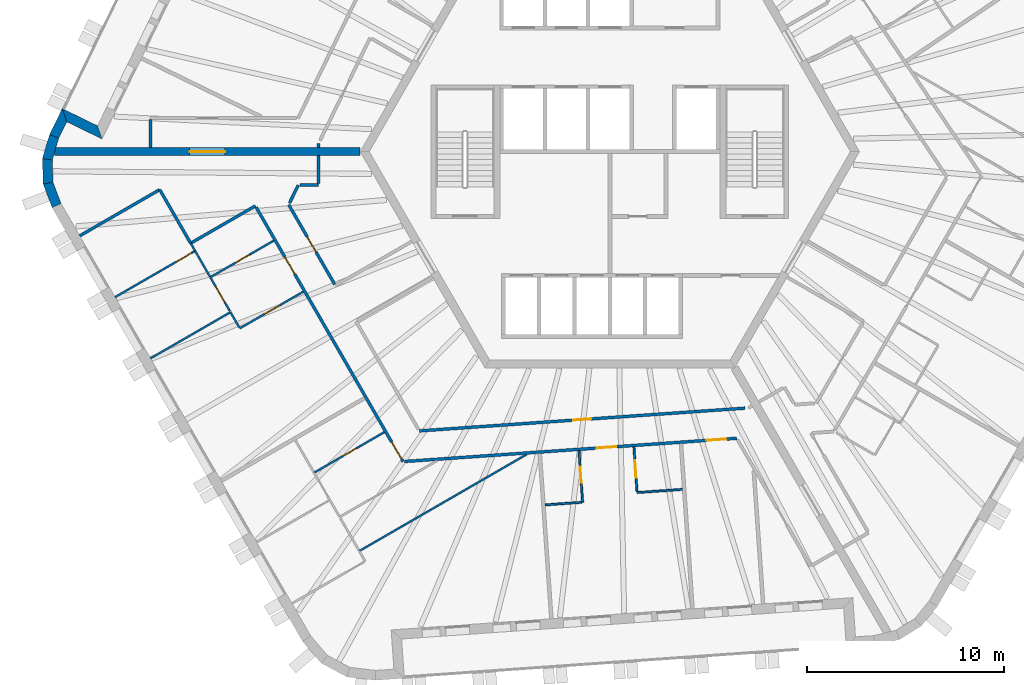
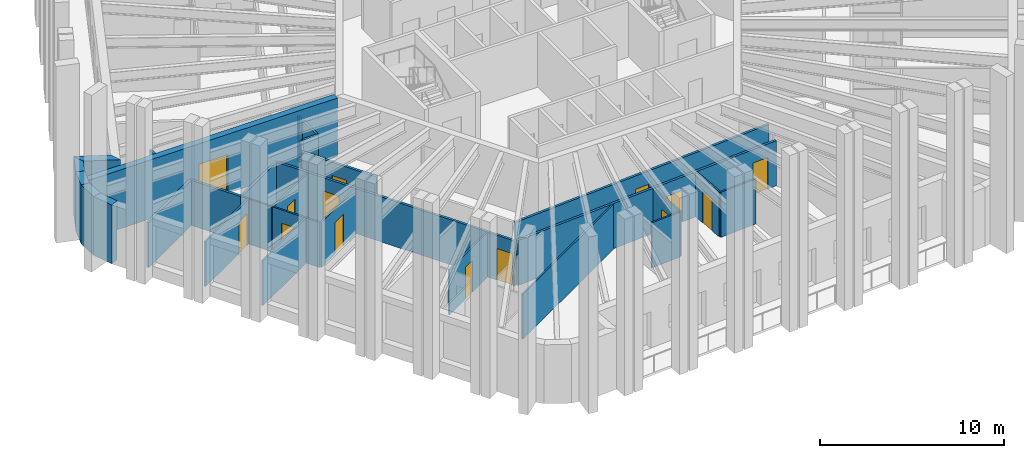
# One storey, part 4 of 13: 32 walls, 14 doors, 14 openings.
"""IFC4 building model written with IfcOpenShell, lengths in metres."""

from ifc_helpers import new_model, si_unit, direction, frame, frame_2d, origin, place, context, subcontext, project, spatial, polyline, rectangle, outline, extrude, material, layer, layer_set, type_object, element, fill, save


model = new_model("IFC4")

# Units and contexts
model_context = context("Model", 3, precision=1e-05, world=origin(), true_north=direction((0.0, 1.0)))
body_context = subcontext(model_context, "Body", "Model", "MODEL_VIEW")
ifc_project = project(units=[si_unit("LENGTHUNIT", "METRE"), si_unit("AREAUNIT", "SQUARE_METRE"), si_unit("VOLUMEUNIT", "CUBIC_METRE"), si_unit("PLANEANGLEUNIT", "RADIAN"), si_unit("MASSUNIT", "GRAM", prefix="KILO")], contexts=[model_context])

# Site, building, storey
site_placement = place(None, origin())
site = spatial("IfcSite", under=ifc_project, at=site_placement, CompositionType="ELEMENT")
building_placement = place(site_placement, origin())
building = spatial("IfcBuilding", under=site, at=building_placement, Name="Tarnside Tower", CompositionType="ELEMENT")
storey_placement = place(building_placement, frame((0.0, 0.0, 267.89990234375)))
storey = spatial("IfcBuildingStorey", under=building, at=storey_placement, Name="L64", CompositionType="ELEMENT", Elevation=267.89990234375)

# Wall, opening, door
ifc_material_1 = material(Name="Gypsum board partition on steel studs", Category="steel")
ifc_layer_1 = layer(ifc_material_1, 0.10009765625)
ifc_layer_set_1 = layer_set([ifc_layer_1], Name="Bathroom wall 100")
wall_type_1 = type_object("IfcWallType", Name="Bathroom wall 100", PredefinedType="PARTITIONING", material=ifc_layer_set_1)
wall_1_placement = place(storey_placement, frame((-17.1005859375, -4.53076171875, 0.0), z_axis=(0.0, 0.0, 1.0), x_axis=(-0.866028424924, -0.499994767197, 0.0)))
wall_1 = element("IfcWall", 1, at=wall_1_placement, inside=storey, type_object=wall_type_1, Name="Bathroom wall 21120", PredefinedType="PARTITIONING", context=body_context, shape_type="SweptSolid", body=[
    extrude(rectangle(XDim=3.72509765625, YDim=0.10009765625, at=frame_2d((1.862548828125, 0.0))), origin(), (0.0, 0.0, 1.0), 2.98779296875),
])
opening_1_placement = place(wall_1_placement, frame((1.425048828125, 0.0, 0.0)))
opening_1 = element("IfcOpeningElement", 2, at=opening_1_placement, cuts=wall_1, Name="Opening D-B1", PredefinedType="OPENING", context=body_context, shape_type="SweptSolid", body=[
    extrude(rectangle(XDim=0.800048828125, YDim=2.10009765625, at=frame_2d((0.39990234375, 1.050048828125))), frame((0.0, 0.06005859375, 0.0), z_axis=(0.0, -1.0, 0.0), x_axis=(1.0, 0.0, 0.0)), (0.0, 0.0, 1.0), 0.1201171875),
])
ifc_material_2 = material(Name="Timber door leaf", Category="wood")
door_type_1 = type_object("IfcDoorType", Name="Bathroom door 800", OperationType="NOTDEFINED", PredefinedType="DOOR", material=ifc_material_2)
door_1_placement = place(opening_1_placement, origin())
door_1 = element("IfcDoor", 3, at=door_1_placement, inside=storey, type_object=door_type_1, Name="Bathroom door 21027", OperationType="SINGLE_SWING_RIGHT", OverallHeight=2.10009765625, OverallWidth=0.800048828125, PredefinedType="DOOR", context=body_context, shape_type="SweptSolid", body=[
    extrude(rectangle(XDim=0.800048828125, YDim=2.10009765625, at=frame_2d((0.39990234375, 1.050048828125))), frame((0.0, 0.02490234375, 0.0), z_axis=(0.0, -1.0, 0.0), x_axis=(1.0, 0.0, 0.0)), (0.0, 0.0, 1.0), 0.050048828125),
])
fill(opening_1, door_1)

# Walls
wall_2_placement = place(storey_placement, frame((-21.32763671875, -4.659423828125, 0.0), z_axis=(0.0, 0.0, 1.0), x_axis=(0.500250683452, -0.865880623242, 0.0)))
element("IfcWall", 4, at=wall_2_placement, inside=storey, type_object=wall_type_1, Name="Bathroom wall 21122", PredefinedType="PARTITIONING", context=body_context, shape_type="SweptSolid", body=[
    extrude(rectangle(XDim=0.453369140625, YDim=0.10009765625, at=frame_2d((0.2265625, 0.0))), origin(), (0.0, 0.0, 1.0), 2.98779296875),
])
wall_3_placement = place(storey_placement, frame((-21.100830078125, -5.052001953125, 0.0), z_axis=(0.0, 0.0, 1.0), x_axis=(0.49997126526, -0.866041993159, 0.0)))
element("IfcWall", 5, at=wall_3_placement, inside=storey, type_object=wall_type_1, Name="Bathroom wall 21123", PredefinedType="PARTITIONING", context=body_context, shape_type="SweptSolid", body=[
    extrude(rectangle(XDim=1.50048828125, YDim=0.10009765625, at=frame_2d((0.750244140625, 0.0))), origin(), (0.0, 0.0, 1.0), 2.98779296875),
])
wall_4_placement = place(storey_placement, frame((-4.238037109375, -15.408203125, 0.0), z_axis=(0.0, 0.0, 1.0), x_axis=(-0.86602504101, -0.500000628343, 0.0)))
element("IfcWall", 6, at=wall_4_placement, inside=storey, type_object=wall_type_1, Name="Bathroom wall 21127", PredefinedType="PARTITIONING", context=body_context, shape_type="SweptSolid", body=[
    extrude(rectangle(XDim=9.82568359375, YDim=0.10009765625, at=frame_2d((4.912841796875, 0.0))), origin(), (0.0, 0.0, 1.0), 2.98779296875),
])

# Wall, opening, door
wall_5_placement = place(storey_placement, frame((-11.47509765625, -14.274658203125, 0.0), z_axis=(0.0, 0.0, 1.0), x_axis=(-0.866019999656, -0.500009360108, 0.0)))
wall_5 = element("IfcWall", 7, at=wall_5_placement, inside=storey, type_object=wall_type_1, Name="Bathroom wall 21130", PredefinedType="PARTITIONING", context=body_context, shape_type="SweptSolid", body=[
    extrude(rectangle(XDim=4.125, YDim=0.10009765625, at=frame_2d((2.0625, 0.0))), origin(), (0.0, 0.0, 1.0), 2.98779296875),
])
opening_2_placement = place(wall_5_placement, frame((1.625, 0.0, 0.0)))
opening_2 = element("IfcOpeningElement", 8, at=opening_2_placement, cuts=wall_5, Name="Opening D-B1", PredefinedType="OPENING", context=body_context, shape_type="SweptSolid", body=[
    extrude(rectangle(XDim=0.800048828125, YDim=2.10009765625, at=frame_2d((0.39990234375, 1.050048828125))), frame((0.0, 0.06005859375, 0.0), z_axis=(0.0, -1.0, 0.0), x_axis=(1.0, 0.0, 0.0)), (0.0, 0.0, 1.0), 0.1201171875),
])
door_2_placement = place(opening_2_placement, origin())
door_2 = element("IfcDoor", 9, at=door_2_placement, inside=storey, type_object=door_type_1, Name="Bathroom door 21034", OperationType="SINGLE_SWING_RIGHT", OverallHeight=2.10009765625, OverallWidth=0.800048828125, PredefinedType="DOOR", context=body_context, shape_type="SweptSolid", body=[
    extrude(rectangle(XDim=0.800048828125, YDim=2.10009765625, at=frame_2d((0.39990234375, 1.050048828125))), frame((0.0, 0.02490234375, 0.0), z_axis=(0.0, -1.0, 0.0), x_axis=(1.0, 0.0, 0.0)), (0.0, 0.0, 1.0), 0.050048828125),
])
fill(opening_2, door_2)

wall_6_placement = place(storey_placement, frame((-1.566650390625, -15.221435546875, 0.0), z_axis=(0.0, 0.0, 1.0), x_axis=(0.069753235829, -0.997564276672, 0.0)))
wall_6 = element("IfcWall", 10, at=wall_6_placement, inside=storey, type_object=wall_type_1, Name="Bathroom wall 21137", PredefinedType="PARTITIONING", context=body_context, shape_type="SweptSolid", body=[
    extrude(rectangle(XDim=2.625, YDim=0.10009765625, at=frame_2d((1.3125, 0.0))), origin(), (0.0, 0.0, 1.0), 2.98779296875),
])
opening_3_placement = place(wall_6_placement, frame((0.824951171875, 0.0, 0.0)))
opening_3 = element("IfcOpeningElement", 11, at=opening_3_placement, cuts=wall_6, Name="Opening D-B1", PredefinedType="OPENING", context=body_context, shape_type="SweptSolid", body=[
    extrude(rectangle(XDim=0.800048828125, YDim=2.10009765625, at=frame_2d((0.39990234375, 1.050048828125))), frame((0.0, 0.06005859375, 0.0), z_axis=(0.0, -1.0, 0.0), x_axis=(1.0, 0.0, 0.0)), (0.0, 0.0, 1.0), 0.1201171875),
])
door_3_placement = place(opening_3_placement, origin())
door_3 = element("IfcDoor", 12, at=door_3_placement, inside=storey, type_object=door_type_1, Name="Bathroom door 21043", OperationType="SINGLE_SWING_RIGHT", OverallHeight=2.10009765625, OverallWidth=0.800048828125, PredefinedType="DOOR", context=body_context, shape_type="SweptSolid", body=[
    extrude(rectangle(XDim=0.800048828125, YDim=2.10009765625, at=frame_2d((0.39990234375, 1.050048828125))), frame((0.0, 0.02490234375, 0.0), z_axis=(0.0, -1.0, 0.0), x_axis=(1.0, 0.0, 0.0)), (0.0, 0.0, 1.0), 0.050048828125),
])
fill(opening_3, door_3)

# Wall
wall_7_placement = place(storey_placement, frame((-1.43359375, -17.843505859375, 0.0), z_axis=(0.0, 0.0, 1.0), x_axis=(-0.997568101915, -0.069698508173, 0.0)))
element("IfcWall", 13, at=wall_7_placement, inside=storey, type_object=wall_type_1, Name="Bathroom wall 21138", PredefinedType="PARTITIONING", context=body_context, shape_type="SweptSolid", body=[
    extrude(rectangle(XDim=1.860107421875, YDim=0.10009765625, at=frame_2d((0.93017578125, 0.0))), origin(), (0.0, 0.0, 1.0), 2.98779296875),
])

# Wall, opening, door
ifc_material_3 = material(Name="Concrete C60/75", Category="concrete")
ifc_layer_2 = layer(ifc_material_3, 0.39990234375)
ifc_layer_set_2 = layer_set([ifc_layer_2], Name="Core wall Z3 400 C60/75")
wall_type_2 = type_object("IfcWallType", Name="Core wall Z3 400 C60/75", PredefinedType="SHEAR", material=ifc_layer_set_2)
wall_8_placement = place(storey_placement, frame((-12.70166015625, 0.0, -0.14990234375), z_axis=(0.0, 0.0, 1.0), x_axis=(-1.0, 0.0, 0.0)))
wall_8 = element("IfcWall", 14, at=wall_8_placement, inside=storey, type_object=wall_type_2, Name="L64 spine wall 2", PredefinedType="SHEAR", context=body_context, shape_type="SweptSolid", body=[
    extrude(rectangle(XDim=15.54443359375, YDim=0.39990234375, at=frame_2d((7.772216796875, 0.0))), origin(), (0.0, 0.0, 1.0), 3.89990234375),
])
opening_4_placement = place(wall_8_placement, frame((6.872314453125, 0.0, 0.14990234375)))
opening_4 = element("IfcOpeningElement", 15, at=opening_4_placement, cuts=wall_8, Name="Opening CD-SPN", PredefinedType="OPENING", context=body_context, shape_type="SweptSolid", body=[
    extrude(rectangle(XDim=1.800048828125, YDim=2.39990234375, at=frame_2d((0.89990234375, 1.199951171875))), frame((0.0, 0.2099609375, 0.0), z_axis=(0.0, -1.0, 0.0), x_axis=(1.0, 0.0, 0.0)), (0.0, 0.0, 1.0), 0.419921875),
])
ifc_material_4 = material(Name="Steel fire door", Category="steel")
door_type_2 = type_object("IfcDoorType", Name="Spine passage double door FD60 1800x2400", OperationType="NOTDEFINED", PredefinedType="DOOR", material=ifc_material_4)
door_4_placement = place(opening_4_placement, origin())
door_4 = element("IfcDoor", 16, at=door_4_placement, inside=storey, type_object=door_type_2, Name="L64 spine passage door 2", OperationType="DOUBLE_DOOR_SINGLE_SWING", OverallHeight=2.39990234375, OverallWidth=1.800048828125, PredefinedType="DOOR", context=body_context, shape_type="SweptSolid", body=[
    extrude(rectangle(XDim=1.800048828125, YDim=2.39990234375, at=frame_2d((0.89990234375, 1.199951171875))), frame((0.0, 0.02490234375, 0.0), z_axis=(0.0, -1.0, 0.0), x_axis=(1.0, 0.0, 0.0)), (0.0, 0.0, 1.0), 0.050048828125),
])
fill(opening_4, door_4)

# Walls
ifc_layer_3 = layer(ifc_material_1, 0.14990234375)
ifc_layer_set_3 = layer_set([ifc_layer_3], Name="Corridor wall 150 EI 60")
wall_type_3 = type_object("IfcWallType", Name="Corridor wall 150 EI 60", PredefinedType="PARTITIONING", material=ifc_layer_set_3)
wall_9_placement = place(storey_placement, frame((-23.3740234375, 1.625, 0.0), z_axis=(0.0, 0.0, 1.0), x_axis=(0.0, -1.0, 0.0)))
element("IfcWall", 17, at=wall_9_placement, inside=storey, type_object=wall_type_3, Name="Corridor wall 21019", PredefinedType="PARTITIONING", context=body_context, shape_type="SweptSolid", body=[
    extrude(rectangle(XDim=1.425048828125, YDim=0.14990234375, at=frame_2d((0.71240234375, 0.0))), origin(), (0.0, 0.0, 1.0), 2.98779296875),
])
wall_10_placement = place(storey_placement, frame((-14.820068359375, 0.199951171875, 0.0), z_axis=(0.0, 0.0, 1.0), x_axis=(0.0, 1.0, 0.0)))
element("IfcWall", 18, at=wall_10_placement, inside=storey, type_object=wall_type_3, Name="Corridor wall 21026", PredefinedType="PARTITIONING", context=body_context, shape_type="SweptSolid", body=[
    extrude(rectangle(XDim=0.210205078125, YDim=0.14990234375, at=frame_2d((0.10498046875, 0.0))), origin(), (0.0, 0.0, 1.0), 2.98779296875),
])

# Wall, openings, doors
wall_11_placement = place(storey_placement, frame((-17.998291015625, -2.826171875, 0.0), z_axis=(0.0, 0.0, 1.0), x_axis=(0.500003306199, -0.866023494941, 0.0)))
wall_11 = element("IfcWall", 19, at=wall_11_placement, inside=storey, type_object=wall_type_3, Name="Corridor wall 21029", PredefinedType="PARTITIONING", context=body_context, shape_type="SweptSolid", body=[
    extrude(rectangle(XDim=14.94921875, YDim=0.14990234375, at=frame_2d((7.474609375, 0.0))), origin(), (0.0, 0.0, 1.0), 2.98779296875),
])
opening_5_placement = place(wall_11_placement, frame((2.925048828125, 0.0, 0.0)))
opening_5 = element("IfcOpeningElement", 20, at=opening_5_placement, cuts=wall_11, Name="Opening D-E1", PredefinedType="OPENING", context=body_context, shape_type="SweptSolid", body=[
    extrude(rectangle(XDim=1.0, YDim=2.10009765625, at=frame_2d((0.5, 1.050048828125))), frame((0.0, 0.0849609375, 0.0), z_axis=(0.0, -1.0, 0.0), x_axis=(1.0, 0.0, 0.0)), (0.0, 0.0, 1.0), 0.169921875),
])
opening_6_placement = place(wall_11_placement, frame((13.79931640625, 0.0, 0.0)))
opening_6 = element("IfcOpeningElement", 21, at=opening_6_placement, cuts=wall_11, Name="Opening D-E1", PredefinedType="OPENING", context=body_context, shape_type="SweptSolid", body=[
    extrude(rectangle(XDim=1.0, YDim=2.10009765625, at=frame_2d((0.5, 1.050048828125))), frame((0.0, 0.0849609375, 0.0), z_axis=(0.0, -1.0, 0.0), x_axis=(1.0, 0.0, 0.0)), (0.0, 0.0, 1.0), 0.169921875),
])
door_type_3 = type_object("IfcDoorType", Name="Unit entrance door 1000 FD30S", OperationType="NOTDEFINED", PredefinedType="DOOR", material=ifc_material_2)
door_5_placement = place(opening_5_placement, origin())
door_5 = element("IfcDoor", 22, at=door_5_placement, inside=storey, type_object=door_type_3, Name="Unit door 21026", OperationType="SINGLE_SWING_RIGHT", OverallHeight=2.10009765625, OverallWidth=1.0, PredefinedType="DOOR", context=body_context, shape_type="SweptSolid", body=[
    extrude(rectangle(XDim=1.0, YDim=2.10009765625, at=frame_2d((0.5, 1.050048828125))), frame((0.0, 0.02490234375, 0.0), z_axis=(0.0, -1.0, 0.0), x_axis=(1.0, 0.0, 0.0)), (0.0, 0.0, 1.0), 0.050048828125),
])
fill(opening_5, door_5)
door_6_placement = place(opening_6_placement, origin())
door_6 = element("IfcDoor", 23, at=door_6_placement, inside=storey, type_object=door_type_3, Name="Unit door 21033", OperationType="SINGLE_SWING_LEFT", OverallHeight=2.10009765625, OverallWidth=1.0, PredefinedType="DOOR", context=body_context, shape_type="SweptSolid", body=[
    extrude(rectangle(XDim=1.0, YDim=2.10009765625, at=frame_2d((0.5, 1.050048828125))), frame((0.0, 0.02490234375, 0.0), z_axis=(0.0, -1.0, 0.0), x_axis=(1.0, 0.0, 0.0)), (0.0, 0.0, 1.0), 0.050048828125),
])
fill(opening_6, door_6)

# Walls
wall_12_placement = place(storey_placement, frame((-21.32666015625, -4.6611328125, 0.0), z_axis=(0.0, 0.0, 1.0), x_axis=(0.866044365799, 0.499967155389, 0.0)))
element("IfcWall", 24, at=wall_12_placement, inside=storey, type_object=wall_type_3, Name="Corridor wall 21031", PredefinedType="PARTITIONING", context=body_context, shape_type="SweptSolid", body=[
    extrude(rectangle(XDim=3.800048828125, YDim=0.14990234375, at=frame_2d((1.89990234375, 0.0))), origin(), (0.0, 0.0, 1.0), 2.98779296875),
])
wall_13_placement = place(storey_placement, frame((-26.97119140625, -4.284423828125, 0.0), z_axis=(0.0, 0.0, 1.0), x_axis=(0.866018584967, 0.500011810352, 0.0)))
element("IfcWall", 25, at=wall_13_placement, inside=storey, type_object=wall_type_3, Name="Corridor wall 21033", PredefinedType="PARTITIONING", context=body_context, shape_type="SweptSolid", body=[
    extrude(rectangle(XDim=4.69873046875, YDim=0.14990234375, at=frame_2d((2.349365234375, 0.0))), origin(), (0.0, 0.0, 1.0), 2.98779296875),
])
wall_14_placement = place(storey_placement, frame((-22.900390625, -1.935546875, 0.0), z_axis=(0.0, 0.0, 1.0), x_axis=(0.50003099832, -0.866007506156, 0.0)))
element("IfcWall", 26, at=wall_14_placement, inside=storey, type_object=wall_type_3, Name="Corridor wall 21034", PredefinedType="PARTITIONING", context=body_context, shape_type="SweptSolid", body=[
    extrude(rectangle(XDim=3.150634765625, YDim=0.14990234375, at=frame_2d((1.5751953125, 0.0))), origin(), (0.0, 0.0, 1.0), 2.98779296875),
])

# Wall, openings, doors
wall_15_placement = place(storey_placement, frame((-10.4404296875, -15.7666015625, 0.0), z_axis=(0.0, 0.0, 1.0), x_axis=(0.997565037323, 0.069742356651, 0.0)))
wall_15 = element("IfcWall", 27, at=wall_15_placement, inside=storey, type_object=wall_type_3, Name="Corridor wall 21035", PredefinedType="PARTITIONING", context=body_context, shape_type="SweptSolid", body=[
    extrude(rectangle(XDim=16.939453125, YDim=0.14990234375, at=frame_2d((8.4697265625, 0.0))), origin(), (0.0, 0.0, 1.0), 2.98779296875),
])
opening_7_placement = place(wall_15_placement, frame((9.7900390625, 0.0, 0.0)))
opening_7 = element("IfcOpeningElement", 28, at=opening_7_placement, cuts=wall_15, Name="Opening D-E1", PredefinedType="OPENING", context=body_context, shape_type="SweptSolid", body=[
    extrude(rectangle(XDim=1.0, YDim=2.10009765625, at=frame_2d((0.5, 1.050048828125))), frame((0.0, 0.0849609375, 0.0), z_axis=(0.0, -1.0, 0.0), x_axis=(1.0, 0.0, 0.0)), (0.0, 0.0, 1.0), 0.169921875),
])
opening_8_placement = place(wall_15_placement, frame((15.39013671875, 0.0, 0.0)))
opening_8 = element("IfcOpeningElement", 29, at=opening_8_placement, cuts=wall_15, Name="Opening D-E1", PredefinedType="OPENING", context=body_context, shape_type="SweptSolid", body=[
    extrude(rectangle(XDim=1.0, YDim=2.10009765625, at=frame_2d((0.5, 1.050048828125))), frame((0.0, 0.0849609375, 0.0), z_axis=(0.0, -1.0, 0.0), x_axis=(1.0, 0.0, 0.0)), (0.0, 0.0, 1.0), 0.169921875),
])
door_7_placement = place(opening_7_placement, origin())
door_7 = element("IfcDoor", 30, at=door_7_placement, inside=storey, type_object=door_type_3, Name="Unit door 21042", OperationType="SINGLE_SWING_RIGHT", OverallHeight=2.10009765625, OverallWidth=1.0, PredefinedType="DOOR", context=body_context, shape_type="SweptSolid", body=[
    extrude(rectangle(XDim=1.0, YDim=2.10009765625, at=frame_2d((0.5, 1.050048828125))), frame((0.0, 0.02490234375, 0.0), z_axis=(0.0, -1.0, 0.0), x_axis=(1.0, 0.0, 0.0)), (0.0, 0.0, 1.0), 0.050048828125),
])
fill(opening_7, door_7)
door_8_placement = place(opening_8_placement, origin())
door_8 = element("IfcDoor", 31, at=door_8_placement, inside=storey, type_object=door_type_3, Name="Unit door 21045", OperationType="SINGLE_SWING_LEFT", OverallHeight=2.10009765625, OverallWidth=1.0, PredefinedType="DOOR", context=body_context, shape_type="SweptSolid", body=[
    extrude(rectangle(XDim=1.0, YDim=2.10009765625, at=frame_2d((0.5, 1.050048828125))), frame((0.0, 0.02490234375, 0.0), z_axis=(0.0, -1.0, 0.0), x_axis=(1.0, 0.0, 0.0)), (0.0, 0.0, 1.0), 0.050048828125),
])
fill(opening_8, door_8)

# Wall, opening, door
wall_16_placement = place(storey_placement, frame((-14.000244140625, -6.750732421875, 0.0), z_axis=(0.0, 0.0, 1.0), x_axis=(-0.500008739126, 0.866020358189, 0.0)))
wall_16 = element("IfcWall", 32, at=wall_16_placement, inside=storey, type_object=wall_type_3, Name="Corridor wall 21048", PredefinedType="PARTITIONING", context=body_context, shape_type="SweptSolid", body=[
    extrude(rectangle(XDim=4.67529296875, YDim=0.14990234375, at=frame_2d((2.337646484375, 0.0))), origin(), (0.0, 0.0, 1.0), 2.98779296875),
])
opening_9_placement = place(wall_16_placement, frame((1.8876953125, 0.0, 0.0)))
opening_9 = element("IfcOpeningElement", 33, at=opening_9_placement, cuts=wall_16, Name="Opening D-S1", PredefinedType="OPENING", context=body_context, shape_type="SweptSolid", body=[
    extrude(rectangle(XDim=0.89990234375, YDim=2.10009765625, at=frame_2d((0.449951171875, 1.050048828125))), frame((0.0, 0.0849609375, 0.0), z_axis=(0.0, -1.0, 0.0), x_axis=(1.0, 0.0, 0.0)), (0.0, 0.0, 1.0), 0.169921875),
])
door_type_4 = type_object("IfcDoorType", Name="Service room door 900 FD30S", OperationType="NOTDEFINED", PredefinedType="DOOR", material=ifc_material_2)
door_9_placement = place(opening_9_placement, origin())
door_9 = element("IfcDoor", 34, at=door_9_placement, inside=storey, type_object=door_type_4, Name="Service door 21071", OperationType="SINGLE_SWING_RIGHT", OverallHeight=2.10009765625, OverallWidth=0.89990234375, PredefinedType="DOOR", context=body_context, shape_type="SweptSolid", body=[
    extrude(rectangle(XDim=0.89990234375, YDim=2.10009765625, at=frame_2d((0.449951171875, 1.050048828125))), frame((0.0, 0.02490234375, 0.0), z_axis=(0.0, -1.0, 0.0), x_axis=(1.0, 0.0, 0.0)), (0.0, 0.0, 1.0), 0.050048828125),
])
fill(opening_9, door_9)

# Walls
wall_17_placement = place(storey_placement, frame((-16.29833984375, -2.62060546875, 0.0), z_axis=(0.0, 0.0, 1.0), x_axis=(0.438325013788, 0.898816545402, 0.0)))
element("IfcWall", 35, at=wall_17_placement, inside=storey, type_object=wall_type_3, Name="Corridor wall 21049", PredefinedType="PARTITIONING", context=body_context, shape_type="SweptSolid", body=[
    extrude(rectangle(XDim=1.0244140625, YDim=0.14990234375, at=frame_2d((0.51220703125, 0.0))), origin(), (0.0, 0.0, 1.0), 2.98779296875),
])
wall_18_placement = place(storey_placement, frame((-15.765869140625, -1.699951171875, 0.0), z_axis=(0.0, 0.0, 1.0), x_axis=(1.0, 0.0, 0.0)))
element("IfcWall", 36, at=wall_18_placement, inside=storey, type_object=wall_type_3, Name="Corridor wall 21050", PredefinedType="PARTITIONING", context=body_context, shape_type="SweptSolid", body=[
    extrude(rectangle(XDim=0.94580078125, YDim=0.14990234375, at=frame_2d((0.472900390625, 0.0))), origin(), (0.0, 0.0, 1.0), 2.98779296875),
])
wall_19_placement = place(storey_placement, frame((-14.820068359375, -1.625, 0.0), z_axis=(0.0, 0.0, 1.0), x_axis=(0.0, 1.0, 0.0)))
element("IfcWall", 37, at=wall_19_placement, inside=storey, type_object=wall_type_3, Name="Corridor wall 21051", PredefinedType="PARTITIONING", context=body_context, shape_type="SweptSolid", body=[
    extrude(rectangle(XDim=1.425048828125, YDim=0.14990234375, at=frame_2d((0.71240234375, 0.0))), origin(), (0.0, 0.0, 1.0), 2.98779296875),
])

# Wall, opening, door
wall_20_placement = place(storey_placement, frame((6.88427734375, -13.051513671875, 0.0), z_axis=(0.0, 0.0, 1.0), x_axis=(-0.997564224443, -0.069753982764, 0.0)))
wall_20 = element("IfcWall", 38, at=wall_20_placement, inside=storey, type_object=wall_type_3, Name="Corridor wall 21053", PredefinedType="PARTITIONING", context=body_context, shape_type="SweptSolid", body=[
    extrude(rectangle(XDim=16.6181640625, YDim=0.14990234375, at=frame_2d((8.30908203125, 0.0))), origin(), (0.0, 0.0, 1.0), 2.98779296875),
])
opening_10_placement = place(wall_20_placement, frame((7.85888671875, 0.0, 0.0)))
opening_10 = element("IfcOpeningElement", 39, at=opening_10_placement, cuts=wall_20, Name="Opening D-S1", PredefinedType="OPENING", context=body_context, shape_type="SweptSolid", body=[
    extrude(rectangle(XDim=0.89990234375, YDim=2.10009765625, at=frame_2d((0.449951171875, 1.050048828125))), frame((0.0, 0.0849609375, 0.0), z_axis=(0.0, -1.0, 0.0), x_axis=(1.0, 0.0, 0.0)), (0.0, 0.0, 1.0), 0.169921875),
])
door_10_placement = place(opening_10_placement, origin())
door_10 = element("IfcDoor", 40, at=door_10_placement, inside=storey, type_object=door_type_4, Name="Service door 21072", OperationType="SINGLE_SWING_RIGHT", OverallHeight=2.10009765625, OverallWidth=0.89990234375, PredefinedType="DOOR", context=body_context, shape_type="SweptSolid", body=[
    extrude(rectangle(XDim=0.89990234375, YDim=2.10009765625, at=frame_2d((0.449951171875, 1.050048828125))), frame((0.0, 0.02490234375, 0.0), z_axis=(0.0, -1.0, 0.0), x_axis=(1.0, 0.0, 0.0)), (0.0, 0.0, 1.0), 0.050048828125),
])
fill(opening_10, door_10)

# Walls
ifc_material_5 = material(Name="Dark zinc cladding")
ifc_layer_4 = layer(ifc_material_5, 0.10205078125)
ifc_material_6 = material(Name="Concrete C60/75 precast", Category="concrete")
ifc_layer_5 = layer(ifc_material_6, 0.298095703125)
ifc_material_7 = material(Name="Mineral wool insulation")
ifc_layer_6 = layer(ifc_material_7, 0.10009765625)
ifc_layer_set_4 = layer_set([ifc_layer_4, ifc_layer_5, ifc_layer_6], Name="Loggia wall 500 zinc faced")
wall_type_4 = type_object("IfcWallType", Name="Loggia wall 500 zinc faced", PredefinedType="SOLIDWALL", material=ifc_layer_set_4)
wall_21_placement = place(storey_placement, frame((-25.9482421875, 0.97607421875, -0.14990234375), z_axis=(0.0, 0.0, 1.0), x_axis=(-0.898802465371, 0.438353884714, 0.0)))
element("IfcWall", 41, at=wall_21_placement, inside=storey, type_object=wall_type_4, Name="Tube wall L64 F2 return 07", PredefinedType="SOLIDWALL", context=body_context, shape_type="SweptSolid", body=[
    extrude(outline(polyline([(0.25, -0.25), (2.25, -0.25), (1.75, 0.25), (-0.25, 0.25), (0.25, -0.25)])), origin(), (0.0, 0.0, 1.0), 3.89990234375),
])
wall_22_placement = place(storey_placement, frame((-27.745849609375, 1.852783203125, -0.14990234375), z_axis=(0.0, 0.0, 1.0), x_axis=(-0.438319390103, -0.898819287877, 0.0)))
element("IfcWall", 42, at=wall_22_placement, inside=storey, type_object=wall_type_4, Name="Tube wall L64 F2 stub 08", PredefinedType="SOLIDWALL", context=body_context, shape_type="SweptSolid", body=[
    extrude(outline(polyline([(-0.25, -0.25), (1.22021484375, -0.25), (1.17919921875, 0.25), (0.25, 0.25), (-0.25, -0.25)])), origin(), (0.0, 0.0, 1.0), 3.89990234375),
])

# Wall, opening, door
ifc_layer_7 = layer(ifc_material_1, 0.10009765625)
ifc_layer_set_5 = layer_set([ifc_layer_7], Name="Partition 100")
wall_type_5 = type_object("IfcWallType", Name="Partition 100", PredefinedType="PARTITIONING", material=ifc_layer_set_5)
wall_23_placement = place(storey_placement, frame((-15.6005859375, -7.12890625, 0.0), z_axis=(0.0, 0.0, 1.0), x_axis=(-0.866056803351, -0.499945610411, 0.0)))
wall_23 = element("IfcWall", 43, at=wall_23_placement, inside=storey, type_object=wall_type_5, Name="Partition wall 21115", PredefinedType="PARTITIONING", context=body_context, shape_type="SweptSolid", body=[
    extrude(rectangle(XDim=3.72509765625, YDim=0.10009765625, at=frame_2d((1.862548828125, 0.0))), origin(), (0.0, 0.0, 1.0), 2.98779296875),
])
opening_11_placement = place(wall_23_placement, frame((1.375, 0.0, 0.0)))
opening_11 = element("IfcOpeningElement", 44, at=opening_11_placement, cuts=wall_23, Name="Opening D-I1", PredefinedType="OPENING", context=body_context, shape_type="SweptSolid", body=[
    extrude(rectangle(XDim=0.89990234375, YDim=2.10009765625, at=frame_2d((0.449951171875, 1.050048828125))), frame((0.0, 0.06005859375, 0.0), z_axis=(0.0, -1.0, 0.0), x_axis=(1.0, 0.0, 0.0)), (0.0, 0.0, 1.0), 0.1201171875),
])
door_type_5 = type_object("IfcDoorType", Name="Internal door 900", OperationType="NOTDEFINED", PredefinedType="DOOR", material=ifc_material_2)
door_11_placement = place(opening_11_placement, origin())
door_11 = element("IfcDoor", 45, at=door_11_placement, inside=storey, type_object=door_type_5, Name="Internal door 21028", OperationType="SINGLE_SWING_RIGHT", OverallHeight=2.10009765625, OverallWidth=0.89990234375, PredefinedType="DOOR", context=body_context, shape_type="SweptSolid", body=[
    extrude(rectangle(XDim=0.89990234375, YDim=2.10009765625, at=frame_2d((0.449951171875, 1.050048828125))), frame((0.0, 0.02490234375, 0.0), z_axis=(0.0, -1.0, 0.0), x_axis=(1.0, 0.0, 0.0)), (0.0, 0.0, 1.0), 0.050048828125),
])
fill(opening_11, door_11)

# Walls
wall_24_placement = place(storey_placement, frame((-18.8515625, -8.947998046875, 0.0), z_axis=(0.0, 0.0, 1.0), x_axis=(-0.500074377092, 0.865982457891, 0.0)))
element("IfcWall", 46, at=wall_24_placement, inside=storey, type_object=wall_type_5, Name="Partition wall 21116", PredefinedType="PARTITIONING", context=body_context, shape_type="SweptSolid", body=[
    extrude(rectangle(XDim=0.900634765625, YDim=0.10009765625, at=frame_2d((0.4501953125, 0.0))), origin(), (0.0, 0.0, 1.0), 2.98779296875),
])
wall_25_placement = place(storey_placement, frame((-19.34423828125, -8.19482421875, 0.0), z_axis=(0.0, 0.0, 1.0), x_axis=(-0.866034331223, -0.499984536904, 0.0)))
element("IfcWall", 47, at=wall_25_placement, inside=storey, type_object=wall_type_5, Name="Partition wall 21117", PredefinedType="PARTITIONING", context=body_context, shape_type="SweptSolid", body=[
    extrude(rectangle(XDim=4.650146484375, YDim=0.10009765625, at=frame_2d((2.3251953125, 0.0))), origin(), (0.0, 0.0, 1.0), 2.98779296875),
])

# Wall, opening, door
wall_26_placement = place(storey_placement, frame((-20.32763671875, -6.3916015625, 0.0), z_axis=(0.0, 0.0, 1.0), x_axis=(0.500031897912, -0.866006986733, 0.0)))
wall_26 = element("IfcWall", 48, at=wall_26_placement, inside=storey, type_object=wall_type_5, Name="Partition wall 21121", PredefinedType="PARTITIONING", context=body_context, shape_type="SweptSolid", body=[
    extrude(rectangle(XDim=2.003173828125, YDim=0.10009765625, at=frame_2d((1.00146484375, 0.0))), origin(), (0.0, 0.0, 1.0), 2.98779296875),
])
opening_12_placement = place(wall_26_placement, frame((0.57763671875, 0.0, 0.0)))
opening_12 = element("IfcOpeningElement", 49, at=opening_12_placement, cuts=wall_26, Name="Opening D-I1", PredefinedType="OPENING", context=body_context, shape_type="SweptSolid", body=[
    extrude(rectangle(XDim=0.89990234375, YDim=2.10009765625, at=frame_2d((0.449951171875, 1.050048828125))), frame((0.0, 0.06005859375, 0.0), z_axis=(0.0, -1.0, 0.0), x_axis=(1.0, 0.0, 0.0)), (0.0, 0.0, 1.0), 0.1201171875),
])
door_12_placement = place(opening_12_placement, origin())
door_12 = element("IfcDoor", 50, at=door_12_placement, inside=storey, type_object=door_type_5, Name="Internal door 21032", OperationType="SINGLE_SWING_LEFT", OverallHeight=2.10009765625, OverallWidth=0.89990234375, PredefinedType="DOOR", context=body_context, shape_type="SweptSolid", body=[
    extrude(rectangle(XDim=0.89990234375, YDim=2.10009765625, at=frame_2d((0.449951171875, 1.050048828125))), frame((0.0, 0.02490234375, 0.0), z_axis=(0.0, -1.0, 0.0), x_axis=(1.0, 0.0, 0.0)), (0.0, 0.0, 1.0), 0.050048828125),
])
fill(opening_12, door_12)

wall_27_placement = place(storey_placement, frame((-25.171142578125, -7.402099609375, 0.0), z_axis=(0.0, 0.0, 1.0), x_axis=(0.86602120543, 0.500007271693, 0.0)))
wall_27 = element("IfcWall", 51, at=wall_27_placement, inside=storey, type_object=wall_type_5, Name="Partition wall 21124", PredefinedType="PARTITIONING", context=body_context, shape_type="SweptSolid", body=[
    extrude(rectangle(XDim=4.64990234375, YDim=0.10009765625, at=frame_2d((2.324951171875, 0.0))), origin(), (0.0, 0.0, 1.0), 2.98779296875),
])
opening_13_placement = place(wall_27_placement, frame((3.60009765625, 0.0, 0.0)))
opening_13 = element("IfcOpeningElement", 52, at=opening_13_placement, cuts=wall_27, Name="Opening D-I1", PredefinedType="OPENING", context=body_context, shape_type="SweptSolid", body=[
    extrude(rectangle(XDim=0.89990234375, YDim=2.10009765625, at=frame_2d((0.449951171875, 1.050048828125))), frame((0.0, 0.06005859375, 0.0), z_axis=(0.0, -1.0, 0.0), x_axis=(1.0, 0.0, 0.0)), (0.0, 0.0, 1.0), 0.1201171875),
])
door_13_placement = place(opening_13_placement, origin())
door_13 = element("IfcDoor", 53, at=door_13_placement, inside=storey, type_object=door_type_5, Name="Internal door 21031", OperationType="SINGLE_SWING_RIGHT", OverallHeight=2.10009765625, OverallWidth=0.89990234375, PredefinedType="DOOR", context=body_context, shape_type="SweptSolid", body=[
    extrude(rectangle(XDim=0.89990234375, YDim=2.10009765625, at=frame_2d((0.449951171875, 1.050048828125))), frame((0.0, 0.02490234375, 0.0), z_axis=(0.0, -1.0, 0.0), x_axis=(1.0, 0.0, 0.0)), (0.0, 0.0, 1.0), 0.050048828125),
])
fill(opening_13, door_13)

# Wall
wall_28_placement = place(storey_placement, frame((3.69287109375, -17.184326171875, 0.0), z_axis=(0.0, 0.0, 1.0), x_axis=(-0.997563824095, -0.069759707979, 0.0)))
element("IfcWall", 54, at=wall_28_placement, inside=storey, type_object=wall_type_5, Name="Partition wall 21139", PredefinedType="PARTITIONING", context=body_context, shape_type="SweptSolid", body=[
    extrude(rectangle(XDim=2.309814453125, YDim=0.10009765625, at=frame_2d((1.15478515625, 0.0))), origin(), (0.0, 0.0, 1.0), 2.98779296875),
])

# Wall, opening, door
wall_29_placement = place(storey_placement, frame((1.385009765625, -17.29541015625, 0.0), z_axis=(0.0, 0.0, 1.0), x_axis=(-0.069759707979, 0.997563824095, 0.0)))
wall_29 = element("IfcWall", 55, at=wall_29_placement, inside=storey, type_object=wall_type_5, Name="Partition wall 21140", PredefinedType="PARTITIONING", context=body_context, shape_type="SweptSolid", body=[
    extrude(rectangle(XDim=2.27490234375, YDim=0.10009765625, at=frame_2d((1.137451171875, 0.0))), origin(), (0.0, 0.0, 1.0), 2.98779296875),
])
opening_14_placement = place(wall_29_placement, frame((0.699951171875, 0.0, 0.0)))
opening_14 = element("IfcOpeningElement", 56, at=opening_14_placement, cuts=wall_29, Name="Opening D-I1", PredefinedType="OPENING", context=body_context, shape_type="SweptSolid", body=[
    extrude(rectangle(XDim=0.89990234375, YDim=2.10009765625, at=frame_2d((0.449951171875, 1.050048828125))), frame((0.0, 0.06005859375, 0.0), z_axis=(0.0, -1.0, 0.0), x_axis=(1.0, 0.0, 0.0)), (0.0, 0.0, 1.0), 0.1201171875),
])
door_14_placement = place(opening_14_placement, origin())
door_14 = element("IfcDoor", 57, at=door_14_placement, inside=storey, type_object=door_type_5, Name="Internal door 21044", OperationType="SINGLE_SWING_RIGHT", OverallHeight=2.10009765625, OverallWidth=0.89990234375, PredefinedType="DOOR", context=body_context, shape_type="SweptSolid", body=[
    extrude(rectangle(XDim=0.89990234375, YDim=2.10009765625, at=frame_2d((0.449951171875, 1.050048828125))), frame((0.0, 0.02490234375, 0.0), z_axis=(0.0, -1.0, 0.0), x_axis=(1.0, 0.0, 0.0)), (0.0, 0.0, 1.0), 0.050048828125),
])
fill(opening_14, door_14)

# Walls
ifc_material_8 = material(Name="Facing brick", Category="masonry")
ifc_layer_8 = layer(ifc_material_8, 0.10205078125)
ifc_layer_9 = layer(ifc_material_6, 0.298095703125)
ifc_layer_10 = layer(ifc_material_7, 0.10009765625)
ifc_layer_set_6 = layer_set([ifc_layer_8, ifc_layer_9, ifc_layer_10], Name="Tube wall 500 brick faced")
wall_type_6 = type_object("IfcWallType", Name="Tube wall 500 brick faced", PredefinedType="SOLIDWALL", material=ifc_layer_set_6)
wall_30_placement = place(storey_placement, frame((-28.271728515625, 0.7744140625, -0.14990234375), z_axis=(0.0, 0.0, 1.0), x_axis=(-0.286813843218, -0.957986335674, 0.0)))
element("IfcWall", 58, at=wall_30_placement, inside=storey, type_object=wall_type_6, Name="Tube wall L64 F2 chord 09", PredefinedType="SOLIDWALL", context=body_context, shape_type="SweptSolid", body=[
    extrude(outline(polyline([(-0.0205078125, -0.25), (1.25732421875, -0.25), (1.17529296875, 0.25), (0.0205078125, 0.25), (-0.0205078125, -0.25)])), origin(), (0.0, 0.0, 1.0), 3.89990234375),
])
wall_31_placement = place(storey_placement, frame((-28.62060546875, -0.390869140625, -0.14990234375), z_axis=(0.0, 0.0, 1.0), x_axis=(0.034925456137, -0.999389920158, 0.0)))
element("IfcWall", 59, at=wall_31_placement, inside=storey, type_object=wall_type_6, Name="Tube wall L64 F2 chord 10", PredefinedType="SOLIDWALL", context=body_context, shape_type="SweptSolid", body=[
    extrude(outline(polyline([(-0.041015625, -0.25), (1.25732421875, -0.25), (1.17529296875, 0.25), (0.041015625, 0.25), (-0.041015625, -0.25)])), origin(), (0.0, 0.0, 1.0), 3.89990234375),
])
wall_32_placement = place(storey_placement, frame((-28.578125, -1.6064453125, -0.14990234375), z_axis=(0.0, 0.0, 1.0), x_axis=(0.352838463023, -0.935684251771, 0.0)))
element("IfcWall", 60, at=wall_32_placement, inside=storey, type_object=wall_type_6, Name="Tube wall L64 F2 chord 11", PredefinedType="SOLIDWALL", context=body_context, shape_type="SweptSolid", body=[
    extrude(outline(polyline([(-0.041015625, -0.25), (1.23681640625, -0.25), (1.19580078125, 0.25), (0.041015625, 0.25), (-0.041015625, -0.25)])), origin(), (0.0, 0.0, 1.0), 3.89990234375),
])

save(model, "model.ifc")
